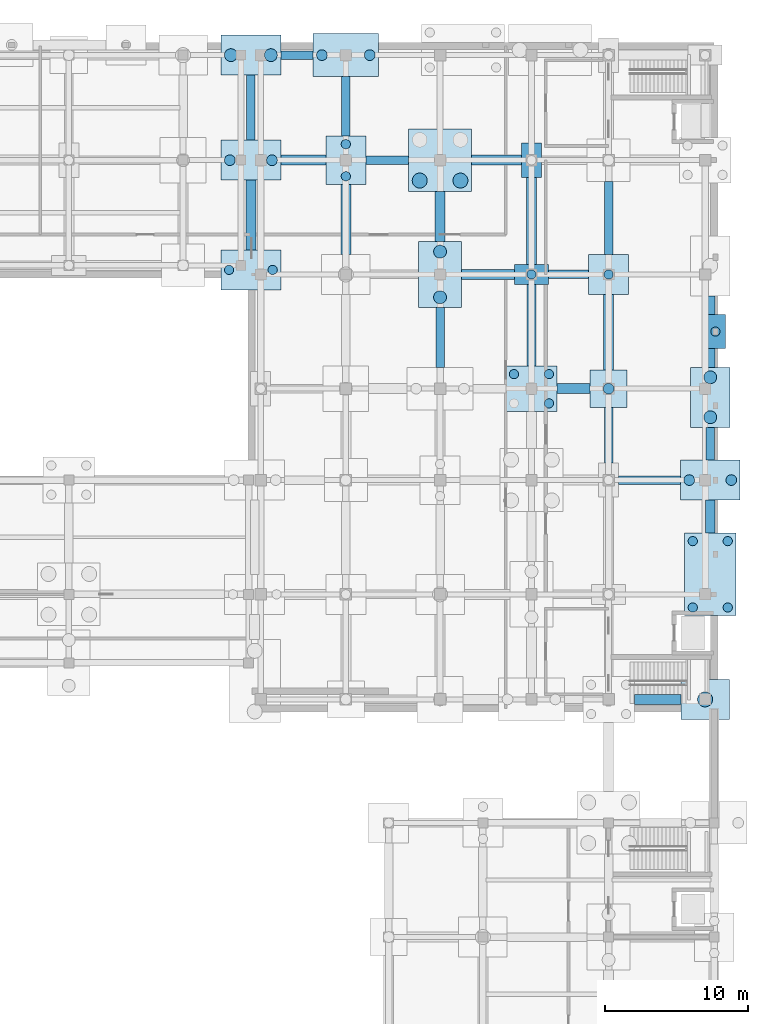
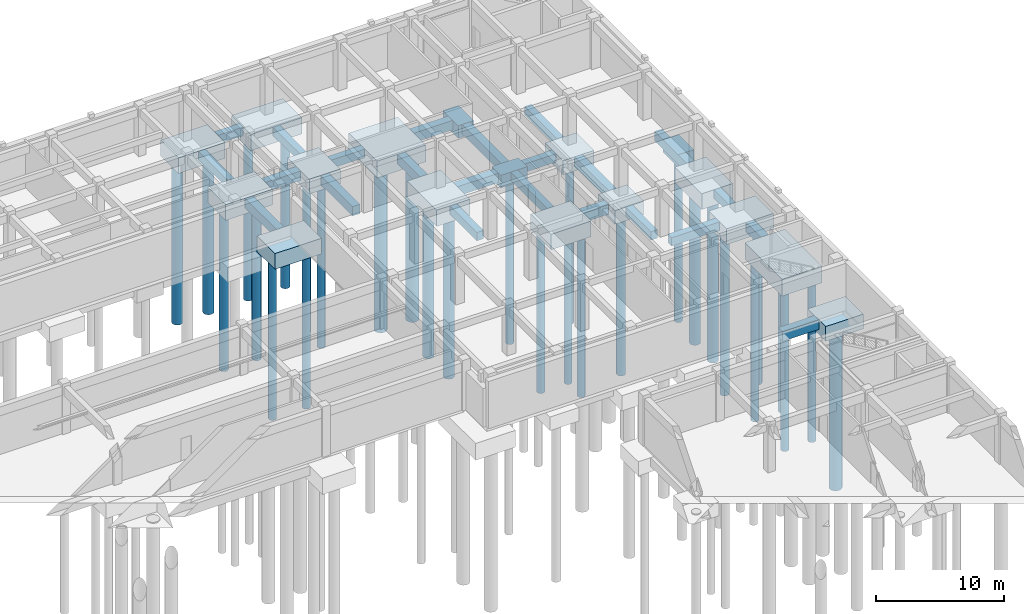
# One storey, part 11 of 35: 40 footings, 30 piles.
"""IFC4 building model written with IfcOpenShell, lengths in metres."""

from ifc_helpers import new_model, si_unit, direction, frame, origin, origin_2d, place, context, subcontext, project, spatial, polyline, rectangle, circle, outline, extrude, material, layer, layer_set, material_profile, profile_set, type_object, element, save


model = new_model("IFC4")

# Units and contexts
model_context = context("Model", 3, precision=1e-05, world=origin(), true_north=direction((0.0, 1.0)))
body_context = subcontext(model_context, "Body", "Model", "MODEL_VIEW")
ifc_project = project(units=[si_unit("LENGTHUNIT", "METRE"), si_unit("AREAUNIT", "SQUARE_METRE"), si_unit("VOLUMEUNIT", "CUBIC_METRE"), si_unit("PLANEANGLEUNIT", "RADIAN"), si_unit("MASSUNIT", "GRAM", prefix="KILO")], contexts=[model_context])

# Site, building, storey
site_placement = place(None, origin())
site = spatial("IfcSite", under=ifc_project, at=site_placement, CompositionType="ELEMENT")
building_placement = place(site_placement, origin())
building = spatial("IfcBuilding", under=site, at=building_placement, Name="Cinchona Park Media Centre", CompositionType="ELEMENT")
storey_placement = place(building_placement, frame((0.0, 0.0, -4.800048828125)))
storey = spatial("IfcBuildingStorey", under=building, at=storey_placement, Name="B1", CompositionType="ELEMENT", Elevation=-4.800048828125)

# Footings
ifc_material_1 = material(Name="Concrete C40/50", Category="concrete")
ifc_layer_1 = layer(ifc_material_1, 0.800048828125)
ifc_layer_set_1 = layer_set([ifc_layer_1], Name="Concrete C40/50")
footing_type_1 = type_object("IfcFootingType", Name="FTG-BEAM-FB01", PredefinedType="FOOTING_BEAM", material=ifc_layer_set_1)
footing_1_placement = place(storey_placement, frame((0.0, 0.0, -1.280029296875)))
element("IfcFooting", 1, at=footing_1_placement, inside=storey, type_object=footing_type_1, Name="Ground Tie Beam FB01", PredefinedType="FOOTING_BEAM", context=body_context, shape_type="SweptSolid", body=[
    extrude(outline(polyline([(165.300048828125, 87.300048828125), (169.6201171875, 87.300048828125), (169.6201171875, 87.89990234375), (165.300048828125, 87.89990234375), (165.300048828125, 87.300048828125)])), origin(), (0.0, 0.0, 1.0), 0.800048828125),
])
footing_2_placement = place(storey_placement, frame((0.0, 0.0, -1.280029296875)))
element("IfcFooting", 2, at=footing_2_placement, inside=storey, type_object=footing_type_1, Name="Ground Tie Beam FB01", PredefinedType="FOOTING_BEAM", context=body_context, shape_type="SweptSolid", body=[
    extrude(outline(polyline([(160.39990234375, 101.699951171875), (163.199951171875, 101.699951171875), (163.199951171875, 102.300048828125), (160.39990234375, 102.300048828125), (160.39990234375, 101.699951171875)])), origin(), (0.0, 0.0, 1.0), 0.800048828125),
])
footing_3_placement = place(storey_placement, frame((0.0, 0.0, -1.280029296875)))
element("IfcFooting", 3, at=footing_3_placement, inside=storey, type_object=footing_type_1, Name="Ground Tie Beam FB01", PredefinedType="FOOTING_BEAM", context=body_context, shape_type="SweptSolid", body=[
    extrude(outline(polyline([(147.60009765625, 109.699951171875), (150.60009765625, 109.699951171875), (150.60009765625, 110.300048828125), (147.60009765625, 110.300048828125), (147.60009765625, 109.699951171875)])), origin(), (0.0, 0.0, 1.0), 0.800048828125),
])
footing_4_placement = place(storey_placement, frame((0.0, 0.0, -1.300048828125)))
element("IfcFooting", 4, at=footing_4_placement, inside=storey, type_object=footing_type_1, Name="Ground Tie Beam FB01", PredefinedType="FOOTING_BEAM", context=body_context, shape_type="SweptSolid", body=[
    extrude(outline(polyline([(141.64990234375, 117.06005859375), (143.89990234375, 117.06005859375), (143.89990234375, 117.659912109375), (141.64990234375, 117.659912109375), (141.64990234375, 117.06005859375)])), origin(), (0.0, 0.0, 1.0), 0.800048828125),
])
footing_5_placement = place(storey_placement, frame((0.0, 0.0, -1.300048828125)))
element("IfcFooting", 5, at=footing_5_placement, inside=storey, type_object=footing_type_1, Name="Ground Tie Beam FB01", PredefinedType="FOOTING_BEAM", context=body_context, shape_type="SweptSolid", body=[
    extrude(outline(polyline([(139.25, 111.39990234375), (139.85009765625, 111.39990234375), (139.85009765625, 115.9599609375), (139.25, 115.9599609375), (139.25, 111.39990234375)])), origin(), (0.0, 0.0, 1.0), 0.800048828125),
])
footing_6_placement = place(storey_placement, frame((0.0, 0.0, -1.280029296875)))
element("IfcFooting", 6, at=footing_6_placement, inside=storey, type_object=footing_type_1, Name="Ground Tie Beam FB01", PredefinedType="FOOTING_BEAM", context=body_context, shape_type="SweptSolid", body=[
    extrude(outline(polyline([(145.89990234375, 111.699951171875), (146.5, 111.699951171875), (146.5, 115.860107421875), (145.89990234375, 115.860107421875), (145.89990234375, 111.699951171875)])), origin(), (0.0, 0.0, 1.0), 0.800048828125),
])
footing_7_placement = place(storey_placement, frame((0.0, 0.0, -1.280029296875)))
element("IfcFooting", 7, at=footing_7_placement, inside=storey, type_object=footing_type_1, Name="Ground Tie Beam FB01", PredefinedType="FOOTING_BEAM", context=body_context, shape_type="SweptSolid", body=[
    extrude(outline(polyline([(152.5, 95.5), (153.10009765625, 95.5), (153.10009765625, 99.699951171875), (152.5, 99.699951171875), (152.5, 95.5)])), origin(), (0.0, 0.0, 1.0), 0.800048828125),
])
footing_8_placement = place(storey_placement, frame((0.0, 0.0, -1.280029296875)))
element("IfcFooting", 8, at=footing_8_placement, inside=storey, type_object=footing_type_1, Name="Ground Tie Beam FB01", PredefinedType="FOOTING_BEAM", context=body_context, shape_type="SweptSolid", body=[
    extrude(outline(polyline([(158.89990234375, 95.60009765625), (159.5, 95.60009765625), (159.5, 101.300048828125), (158.89990234375, 101.300048828125), (158.89990234375, 95.60009765625)])), origin(), (0.0, 0.0, 1.0), 0.800048828125),
])
footing_9_placement = place(storey_placement, frame((0.0, 0.0, -1.280029296875)))
element("IfcFooting", 9, at=footing_9_placement, inside=storey, type_object=footing_type_1, Name="Ground Tie Beam FB01", PredefinedType="FOOTING_BEAM", context=body_context, shape_type="SweptSolid", body=[
    extrude(outline(polyline([(164.300048828125, 88.800048828125), (164.89990234375, 88.800048828125), (164.89990234375, 92.699951171875), (164.300048828125, 92.699951171875), (164.300048828125, 88.800048828125)])), origin(), (0.0, 0.0, 1.0), 0.800048828125),
])
footing_10_placement = place(storey_placement, frame((0.0, 0.0, -1.280029296875)))
element("IfcFooting", 10, at=footing_10_placement, inside=storey, type_object=footing_type_1, Name="Ground Tie Beam FB01", PredefinedType="FOOTING_BEAM", context=body_context, shape_type="SweptSolid", body=[
    extrude(outline(polyline([(164.300048828125, 103.39990234375), (164.89990234375, 103.39990234375), (164.89990234375, 108.5), (164.300048828125, 108.5), (164.300048828125, 103.39990234375)])), origin(), (0.0, 0.0, 1.0), 0.800048828125),
])
footing_11_placement = place(storey_placement, frame((0.0, 0.0, -1.280029296875)))
element("IfcFooting", 11, at=footing_11_placement, inside=storey, type_object=footing_type_1, Name="Ground Tie Beam FB01", PredefinedType="FOOTING_BEAM", context=body_context, shape_type="SweptSolid", body=[
    extrude(outline(polyline([(171.419921875, 89.0), (172.02001953125, 89.0), (172.02001953125, 91.300048828125), (171.419921875, 91.300048828125), (171.419921875, 89.0)])), origin(), (0.0, 0.0, 1.0), 0.800048828125),
])
ifc_material_2 = material(Name="Concrete C40/50", Category="concrete")
ifc_layer_2 = layer(ifc_material_2, 0.89990234375)
ifc_layer_set_2 = layer_set([ifc_layer_2], Name="Concrete C40/50")
footing_type_2 = type_object("IfcFootingType", Name="FTG-BEAM-FB02", PredefinedType="FOOTING_BEAM", material=ifc_layer_set_2)
footing_12_placement = place(storey_placement, frame((0.0, 0.0, -1.3798828125)))
element("IfcFooting", 12, at=footing_12_placement, inside=storey, type_object=footing_type_2, Name="Ground Tie Beam FB02", PredefinedType="FOOTING_BEAM", context=body_context, shape_type="SweptSolid", body=[
    extrude(outline(polyline([(166.39990234375, 71.889892578125), (169.659912109375, 71.889892578125), (169.659912109375, 72.590087890625), (166.39990234375, 72.590087890625), (166.39990234375, 71.889892578125)])), origin(), (0.0, 0.0, 1.0), 0.89990234375),
])
footing_13_placement = place(storey_placement, frame((0.0, 0.0, -1.3798828125)))
element("IfcFooting", 13, at=footing_13_placement, inside=storey, type_object=footing_type_2, Name="Ground Tie Beam FB02", PredefinedType="FOOTING_BEAM", context=body_context, shape_type="SweptSolid", body=[
    extrude(outline(polyline([(161.0, 93.64990234375), (163.300048828125, 93.64990234375), (163.300048828125, 94.35009765625), (161.0, 94.35009765625), (161.0, 93.64990234375)])), origin(), (0.0, 0.0, 1.0), 0.89990234375),
])
footing_14_placement = place(storey_placement, frame((0.0, 0.0, -1.3798828125)))
element("IfcFooting", 14, at=footing_14_placement, inside=storey, type_object=footing_type_2, Name="Ground Tie Beam FB02", PredefinedType="FOOTING_BEAM", context=body_context, shape_type="SweptSolid", body=[
    extrude(outline(polyline([(154.300048828125, 101.64990234375), (158.0, 101.64990234375), (158.0, 102.35009765625), (154.300048828125, 102.35009765625), (154.300048828125, 101.64990234375)])), origin(), (0.0, 0.0, 1.0), 0.89990234375),
])
footing_15_placement = place(storey_placement, frame((0.0, 0.0, -1.39990234375)))
element("IfcFooting", 15, at=footing_15_placement, inside=storey, type_object=footing_type_2, Name="Ground Tie Beam FB02", PredefinedType="FOOTING_BEAM", context=body_context, shape_type="SweptSolid", body=[
    extrude(outline(polyline([(141.64990234375, 109.64990234375), (144.800048828125, 109.64990234375), (144.800048828125, 110.35009765625), (141.64990234375, 110.35009765625), (141.64990234375, 109.64990234375)])), origin(), (0.0, 0.0, 1.0), 0.89990234375),
])
footing_16_placement = place(storey_placement, frame((0.0, 0.0, -1.3798828125)))
element("IfcFooting", 16, at=footing_16_placement, inside=storey, type_object=footing_type_2, Name="Ground Tie Beam FB02", PredefinedType="FOOTING_BEAM", context=body_context, shape_type="SweptSolid", body=[
    extrude(outline(polyline([(155.0, 109.64990234375), (158.5, 109.64990234375), (158.5, 110.35009765625), (155.0, 110.35009765625), (155.0, 109.64990234375)])), origin(), (0.0, 0.0, 1.0), 0.89990234375),
])
footing_17_placement = place(storey_placement, frame((0.0, 0.0, -1.39990234375)))
element("IfcFooting", 17, at=footing_17_placement, inside=storey, type_object=footing_type_2, Name="Ground Tie Beam FB02", PredefinedType="FOOTING_BEAM", context=body_context, shape_type="SweptSolid", body=[
    extrude(outline(polyline([(139.199951171875, 103.719970703125), (139.89990234375, 103.719970703125), (139.89990234375, 108.60009765625), (139.199951171875, 108.60009765625), (139.199951171875, 103.719970703125)])), origin(), (0.0, 0.0, 1.0), 0.89990234375),
])
footing_18_placement = place(storey_placement, frame((0.0, 0.0, -1.3798828125)))
element("IfcFooting", 18, at=footing_18_placement, inside=storey, type_object=footing_type_2, Name="Ground Tie Beam FB02", PredefinedType="FOOTING_BEAM", context=body_context, shape_type="SweptSolid", body=[
    extrude(outline(polyline([(145.85009765625, 103.39990234375), (146.550048828125, 103.39990234375), (146.550048828125, 108.300048828125), (145.85009765625, 108.300048828125), (145.85009765625, 103.39990234375)])), origin(), (0.0, 0.0, 1.0), 0.89990234375),
])
footing_19_placement = place(storey_placement, frame((0.0, 0.0, -1.3798828125)))
element("IfcFooting", 19, at=footing_19_placement, inside=storey, type_object=footing_type_2, Name="Ground Tie Beam FB02", PredefinedType="FOOTING_BEAM", context=body_context, shape_type="SweptSolid", body=[
    extrude(outline(polyline([(152.449951171875, 104.300048828125), (153.14990234375, 104.300048828125), (153.14990234375, 107.800048828125), (152.449951171875, 107.800048828125), (152.449951171875, 104.300048828125)])), origin(), (0.0, 0.0, 1.0), 0.89990234375),
])
footing_20_placement = place(storey_placement, frame((0.0, 0.0, -1.3798828125)))
element("IfcFooting", 20, at=footing_20_placement, inside=storey, type_object=footing_type_2, Name="Ground Tie Beam FB02", PredefinedType="FOOTING_BEAM", context=body_context, shape_type="SweptSolid", body=[
    extrude(outline(polyline([(158.85009765625, 102.699951171875), (159.550048828125, 102.699951171875), (159.550048828125, 108.800048828125), (158.85009765625, 108.800048828125), (158.85009765625, 102.699951171875)])), origin(), (0.0, 0.0, 1.0), 0.89990234375),
])
footing_21_placement = place(storey_placement, frame((0.0, 0.0, -1.3798828125)))
element("IfcFooting", 21, at=footing_21_placement, inside=storey, type_object=footing_type_2, Name="Ground Tie Beam FB02", PredefinedType="FOOTING_BEAM", context=body_context, shape_type="SweptSolid", body=[
    extrude(outline(polyline([(164.25, 95.300048828125), (164.949951171875, 95.300048828125), (164.949951171875, 100.60009765625), (164.25, 100.60009765625), (164.25, 95.300048828125)])), origin(), (0.0, 0.0, 1.0), 0.89990234375),
])
footing_22_placement = place(storey_placement, frame((0.0, 0.0, -1.3798828125)))
element("IfcFooting", 22, at=footing_22_placement, inside=storey, type_object=footing_type_2, Name="Ground Tie Beam FB02", PredefinedType="FOOTING_BEAM", context=body_context, shape_type="SweptSolid", body=[
    extrude(outline(polyline([(171.3701171875, 83.89990234375), (172.070068359375, 83.89990234375), (172.070068359375, 86.199951171875), (171.3701171875, 86.199951171875), (171.3701171875, 83.89990234375)])), origin(), (0.0, 0.0, 1.0), 0.89990234375),
])
footing_23_placement = place(storey_placement, frame((0.0, 0.0, -1.3798828125)))
element("IfcFooting", 23, at=footing_23_placement, inside=storey, type_object=footing_type_2, Name="Ground Tie Beam FB02", PredefinedType="FOOTING_BEAM", context=body_context, shape_type="SweptSolid", body=[
    extrude(outline(polyline([(171.3701171875, 95.5), (172.070068359375, 95.5), (172.070068359375, 100.5), (171.3701171875, 100.5), (171.3701171875, 95.5)])), origin(), (0.0, 0.0, 1.0), 0.89990234375),
])

# Piles
ifc_material_3 = material(Name="Concrete C40/50", Category="concrete")
ifc_material_profile_1 = material_profile(ifc_material_3, circle(Radius=0.52490234375, at=origin_2d()), Name="BORED PILE 1050")
ifc_profile_set_1 = profile_set([ifc_material_profile_1], Name="Concrete C40/50")
pile_type_1 = type_object("IfcPileType", Name="PILE-BP1050", PredefinedType="BORED", material=ifc_profile_set_1)
for number, where, z_axis, x_axis, name in (
    (24, (151.375, 108.574951171875, -1.97998046875), (0.0, 0.0, -1.0), (1.0, 0.0, 0.0), "Bored Pile P1050"),
    (25, (154.22509765625, 108.574951171875, -1.97998046875), (0.0, 0.0, -1.0), (1.0, 0.0, 0.0), "Bored Pile P1050"),
):
    element("IfcPile", number, at=place(storey_placement, frame(where, z_axis=z_axis, x_axis=x_axis)), inside=storey, type_object=pile_type_1, Name=name, PredefinedType="BORED", context=body_context, shape_type="SweptSolid", body=[
        extrude(circle(Radius=0.52490234375, at=origin_2d()), origin(), (0.0, 0.0, 1.0), 15.219970703125),
    ])
pile_1_placement = place(storey_placement, frame((171.360107421875, 72.239990234375, -1.780029296875), z_axis=(0.0, 0.0, -1.0), x_axis=(1.0, 0.0, 0.0)))
element("IfcPile", 26, at=pile_1_placement, inside=storey, type_object=pile_type_1, Name="Bored Pile P1050", PredefinedType="BORED", context=body_context, shape_type="SweptSolid", body=[
    extrude(circle(Radius=0.52490234375, at=origin_2d()), origin(), (0.0, 0.0, 1.0), 15.419921875),
])
ifc_material_4 = material(Name="Concrete C40/50", Category="concrete")
ifc_material_profile_2 = material_profile(ifc_material_4, circle(Radius=0.324951171875, at=origin_2d()), Name="BORED PILE 650")
ifc_profile_set_2 = profile_set([ifc_material_profile_2], Name="Concrete C40/50")
pile_type_2 = type_object("IfcPileType", Name="PILE-BP650", PredefinedType="BORED", material=ifc_profile_set_2)
for number, where, z_axis, x_axis, name in (
    (27, (138.02490234375, 102.320068359375, -1.89990234375), (0.0, 0.0, -1.0), (1.0, 0.0, 0.0), "Bored Pile P650"),
    (28, (141.074951171875, 102.320068359375, -1.89990234375), (0.0, 0.0, -1.0), (1.0, 0.0, 0.0), "Bored Pile P650"),
):
    element("IfcPile", number, at=place(storey_placement, frame(where, z_axis=z_axis, x_axis=x_axis)), inside=storey, type_object=pile_type_2, Name=name, PredefinedType="BORED", context=body_context, shape_type="SweptSolid", body=[
        extrude(circle(Radius=0.324951171875, at=origin_2d()), origin(), (0.0, 0.0, 1.0), 15.300048828125),
    ])
for number, where, z_axis, x_axis, name in (
    (29, (146.199951171875, 108.875, -1.780029296875), (0.0, 0.0, -1.0), (1.0, 0.0, 0.0), "Bored Pile P650"),
    (30, (146.199951171875, 111.125, -1.780029296875), (0.0, 0.0, -1.0), (1.0, 0.0, 0.0), "Bored Pile P650"),
):
    element("IfcPile", number, at=place(storey_placement, frame(where, z_axis=z_axis, x_axis=x_axis)), inside=storey, type_object=pile_type_2, Name=name, PredefinedType="BORED", context=body_context, shape_type="SweptSolid", body=[
        extrude(circle(Radius=0.324951171875, at=origin_2d()), origin(), (0.0, 0.0, 1.0), 15.419921875),
    ])
for number, where, z_axis, x_axis, name in (
    (31, (157.97509765625, 95.02490234375, -1.85986328125), (0.0, 0.0, -1.0), (1.0, 0.0, 0.0), "Bored Pile P650"),
    (32, (160.425048828125, 92.97509765625, -1.85986328125), (0.0, 0.0, -1.0), (1.0, 0.0, 0.0), "Bored Pile P650"),
    (33, (160.425048828125, 95.02490234375, -1.85986328125), (0.0, 0.0, -1.0), (1.0, 0.0, 0.0), "Bored Pile P650"),
):
    element("IfcPile", number, at=place(storey_placement, frame(where, z_axis=z_axis, x_axis=x_axis)), inside=storey, type_object=pile_type_2, Name=name, PredefinedType="BORED", context=body_context, shape_type="SweptSolid", body=[
        extrude(circle(Radius=0.324951171875, at=origin_2d()), origin(), (0.0, 0.0, 1.0), 15.340087890625),
    ])
pile_2_placement = place(storey_placement, frame((159.199951171875, 102.0, -1.579833984375), z_axis=(0.0, 0.0, -1.0), x_axis=(1.0, 0.0, 0.0)))
element("IfcPile", 34, at=pile_2_placement, inside=storey, type_object=pile_type_2, Name="Bored Pile P650", PredefinedType="BORED", context=body_context, shape_type="SweptSolid", body=[
    extrude(circle(Radius=0.324951171875, at=origin_2d()), origin(), (0.0, 0.0, 1.0), 15.6201171875),
])
pile_3_placement = place(storey_placement, frame((164.60009765625, 102.0, -1.72998046875), z_axis=(0.0, 0.0, -1.0), x_axis=(1.0, 0.0, 0.0)))
element("IfcPile", 35, at=pile_3_placement, inside=storey, type_object=pile_type_2, Name="Bored Pile P650", PredefinedType="BORED", context=body_context, shape_type="SweptSolid", body=[
    extrude(circle(Radius=0.324951171875, at=origin_2d()), origin(), (0.0, 0.0, 1.0), 15.469970703125),
])
for number, where, z_axis, x_axis, name in (
    (36, (170.4951171875, 78.675048828125, -1.97998046875), (0.0, 0.0, -1.0), (1.0, 0.0, 0.0), "Bored Pile P650"),
    (37, (170.4951171875, 83.324951171875, -1.97998046875), (0.0, 0.0, -1.0), (1.0, 0.0, 0.0), "Bored Pile P650"),
    (38, (172.945068359375, 78.675048828125, -1.97998046875), (0.0, 0.0, -1.0), (1.0, 0.0, 0.0), "Bored Pile P650"),
    (39, (172.945068359375, 83.324951171875, -1.97998046875), (0.0, 0.0, -1.0), (1.0, 0.0, 0.0), "Bored Pile P650"),
):
    element("IfcPile", number, at=place(storey_placement, frame(where, z_axis=z_axis, x_axis=x_axis)), inside=storey, type_object=pile_type_2, Name=name, PredefinedType="BORED", context=body_context, shape_type="SweptSolid", body=[
        extrude(circle(Radius=0.324951171875, at=origin_2d()), origin(), (0.0, 0.0, 1.0), 15.219970703125),
    ])
pile_4_placement = place(storey_placement, frame((172.080078125, 98.0, -1.579833984375), z_axis=(0.0, 0.0, -1.0), x_axis=(1.0, 0.0, 0.0)))
element("IfcPile", 40, at=pile_4_placement, inside=storey, type_object=pile_type_2, Name="Bored Pile P650", PredefinedType="BORED", context=body_context, shape_type="SweptSolid", body=[
    extrude(circle(Radius=0.324951171875, at=origin_2d()), origin(), (0.0, 0.0, 1.0), 15.6201171875),
])
ifc_material_5 = material(Name="Concrete C40/50", Category="concrete")
ifc_material_profile_3 = material_profile(ifc_material_5, circle(Radius=0.375, at=origin_2d()), Name="BORED PILE 750")
ifc_profile_set_3 = profile_set([ifc_material_profile_3], Name="Concrete C40/50")
pile_type_3 = type_object("IfcPileType", Name="PILE-BP750", PredefinedType="BORED", material=ifc_profile_set_3)
for number, where, z_axis, x_axis, name in (
    (41, (138.074951171875, 110.0, -1.89990234375), (0.0, 0.0, -1.0), (1.0, 0.0, 0.0), "Bored Pile P750"),
    (42, (141.02490234375, 110.0, -1.89990234375), (0.0, 0.0, -1.0), (1.0, 0.0, 0.0), "Bored Pile P750"),
):
    element("IfcPile", number, at=place(storey_placement, frame(where, z_axis=z_axis, x_axis=x_axis)), inside=storey, type_object=pile_type_3, Name=name, PredefinedType="BORED", context=body_context, shape_type="SweptSolid", body=[
        extrude(circle(Radius=0.375, at=origin_2d()), origin(), (0.0, 0.0, 1.0), 15.300048828125),
    ])
for number, where, z_axis, x_axis, name in (
    (43, (144.52490234375, 117.360107421875, -1.929931640625), (0.0, 0.0, -1.0), (1.0, 0.0, 0.0), "Bored Pile P750"),
    (44, (147.875, 117.360107421875, -1.929931640625), (0.0, 0.0, -1.0), (1.0, 0.0, 0.0), "Bored Pile P750"),
):
    element("IfcPile", number, at=place(storey_placement, frame(where, z_axis=z_axis, x_axis=x_axis)), inside=storey, type_object=pile_type_3, Name=name, PredefinedType="BORED", context=body_context, shape_type="SweptSolid", body=[
        extrude(circle(Radius=0.375, at=origin_2d()), origin(), (0.0, 0.0, 1.0), 15.27001953125),
    ])
pile_5_placement = place(storey_placement, frame((164.60009765625, 94.0, -1.679931640625), z_axis=(0.0, 0.0, -1.0), x_axis=(1.0, 0.0, 0.0)))
element("IfcPile", 45, at=pile_5_placement, inside=storey, type_object=pile_type_3, Name="Bored Pile P750", PredefinedType="BORED", context=body_context, shape_type="SweptSolid", body=[
    extrude(circle(Radius=0.375, at=origin_2d()), origin(), (0.0, 0.0, 1.0), 15.52001953125),
])
for number, where, z_axis, x_axis, name in (
    (46, (170.2451171875, 87.60009765625, -1.8798828125), (0.0, 0.0, -1.0), (1.0, 0.0, 0.0), "Bored Pile P750"),
    (47, (173.195068359375, 87.60009765625, -1.8798828125), (0.0, 0.0, -1.0), (1.0, 0.0, 0.0), "Bored Pile P750"),
):
    element("IfcPile", number, at=place(storey_placement, frame(where, z_axis=z_axis, x_axis=x_axis)), inside=storey, type_object=pile_type_3, Name=name, PredefinedType="BORED", context=body_context, shape_type="SweptSolid", body=[
        extrude(circle(Radius=0.375, at=origin_2d()), origin(), (0.0, 0.0, 1.0), 15.320068359375),
    ])
ifc_material_6 = material(Name="Concrete C40/50", Category="concrete")
ifc_material_profile_4 = material_profile(ifc_material_6, circle(Radius=0.449951171875, at=origin_2d()), Name="BORED PILE 900")
ifc_profile_set_4 = profile_set([ifc_material_profile_4], Name="Concrete C40/50")
pile_type_4 = type_object("IfcPileType", Name="PILE-BP900", PredefinedType="BORED", material=ifc_profile_set_4)
for number, where, z_axis, x_axis, name in (
    (48, (138.14990234375, 117.360107421875, -1.89990234375), (0.0, 0.0, -1.0), (1.0, 0.0, 0.0), "Bored Pile P900"),
    (49, (140.949951171875, 117.360107421875, -1.89990234375), (0.0, 0.0, -1.0), (1.0, 0.0, 0.0), "Bored Pile P900"),
):
    element("IfcPile", number, at=place(storey_placement, frame(where, z_axis=z_axis, x_axis=x_axis)), inside=storey, type_object=pile_type_4, Name=name, PredefinedType="BORED", context=body_context, shape_type="SweptSolid", body=[
        extrude(circle(Radius=0.449951171875, at=origin_2d()), origin(), (0.0, 0.0, 1.0), 15.300048828125),
    ])
for number, where, z_axis, x_axis, name in (
    (50, (152.800048828125, 100.39990234375, -1.929931640625), (0.0, 0.0, -1.0), (1.0, 0.0, 0.0), "Bored Pile P900"),
    (51, (152.800048828125, 103.60009765625, -1.929931640625), (0.0, 0.0, -1.0), (1.0, 0.0, 0.0), "Bored Pile P900"),
):
    element("IfcPile", number, at=place(storey_placement, frame(where, z_axis=z_axis, x_axis=x_axis)), inside=storey, type_object=pile_type_4, Name=name, PredefinedType="BORED", context=body_context, shape_type="SweptSolid", body=[
        extrude(circle(Radius=0.449951171875, at=origin_2d()), origin(), (0.0, 0.0, 1.0), 15.27001953125),
    ])
for number, where, z_axis, x_axis, name in (
    (52, (171.719970703125, 92.0, -1.8798828125), (0.0, 0.0, -1.0), (1.0, 0.0, 0.0), "Bored Pile P900"),
    (53, (171.719970703125, 94.800048828125, -1.8798828125), (0.0, 0.0, -1.0), (1.0, 0.0, 0.0), "Bored Pile P900"),
):
    element("IfcPile", number, at=place(storey_placement, frame(where, z_axis=z_axis, x_axis=x_axis)), inside=storey, type_object=pile_type_4, Name=name, PredefinedType="BORED", context=body_context, shape_type="SweptSolid", body=[
        extrude(circle(Radius=0.449951171875, at=origin_2d()), origin(), (0.0, 0.0, 1.0), 15.320068359375),
    ])

# Footings
ifc_material_7 = material(Name="Concrete C40/50", Category="concrete")
ifc_layer_3 = layer(ifc_material_7, 1.199951171875)
ifc_layer_set_3 = layer_set([ifc_layer_3], Name="Concrete C40/50")
footing_type_3 = type_object("IfcFootingType", Name="PILE-CAP-PC01", PredefinedType="PILE_CAP", material=ifc_layer_set_3)
footing_24_placement = place(storey_placement, frame((159.199951171875, 102.0, -1.6796875), z_axis=(0.0, 0.0, 1.0), x_axis=(1.0, 0.0, 0.0)))
element("IfcFooting", 54, at=footing_24_placement, inside=storey, type_object=footing_type_3, Name="Pile Cap PC01", PredefinedType="PILE_CAP", context=body_context, shape_type="SweptSolid", body=[
    extrude(rectangle(XDim=2.39990234375, YDim=1.39990234375, at=origin_2d()), origin(), (0.0, 0.0, 1.0), 1.199951171875),
])
ifc_material_8 = material(Name="Concrete C40/50", Category="concrete")
ifc_layer_4 = layer(ifc_material_8, 1.199951171875)
ifc_layer_set_4 = layer_set([ifc_layer_4], Name="Concrete C40/50")
footing_type_4 = type_object("IfcFootingType", Name="PILE-CAP-PC02", PredefinedType="PILE_CAP", material=ifc_layer_set_4)
for number, where, z_axis, x_axis, name in (
    (55, (159.199951171875, 110.0, -1.6796875), (0.0, 0.0, 1.0), (1.0, 0.0, 0.0), "Pile Cap PC02"),
    (56, (172.080078125, 98.0, -1.6796875), (0.0, 0.0, 1.0), (1.0, 0.0, 0.0), "Pile Cap PC02"),
):
    element("IfcFooting", number, at=place(storey_placement, frame(where, z_axis=z_axis, x_axis=x_axis)), inside=storey, type_object=footing_type_4, Name=name, PredefinedType="PILE_CAP", context=body_context, shape_type="SweptSolid", body=[
        extrude(rectangle(XDim=1.39990234375, YDim=2.39990234375, at=origin_2d()), origin(), (0.0, 0.0, 1.0), 1.199951171875),
    ])
ifc_material_9 = material(Name="Concrete C40/50", Category="concrete")
ifc_layer_5 = layer(ifc_material_9, 1.300048828125)
ifc_layer_set_5 = layer_set([ifc_layer_5], Name="Concrete C40/50")
footing_type_5 = type_object("IfcFootingType", Name="PILE-CAP-PC03", PredefinedType="PILE_CAP", material=ifc_layer_set_5)
footing_25_placement = place(storey_placement, frame((164.60009765625, 94.0, -1.77978515625), z_axis=(0.0, 0.0, 1.0), x_axis=(1.0, 0.0, 0.0)))
element("IfcFooting", 57, at=footing_25_placement, inside=storey, type_object=footing_type_5, Name="Pile Cap PC03", PredefinedType="PILE_CAP", context=body_context, shape_type="SweptSolid", body=[
    extrude(rectangle(XDim=2.60009765625, YDim=2.60009765625, at=origin_2d()), origin(), (0.0, 0.0, 1.0), 1.300048828125),
])
ifc_material_10 = material(Name="Concrete C40/50", Category="concrete")
ifc_layer_6 = layer(ifc_material_10, 1.35009765625)
ifc_layer_set_6 = layer_set([ifc_layer_6], Name="Concrete C40/50")
footing_type_6 = type_object("IfcFootingType", Name="PILE-CAP-PC04", PredefinedType="PILE_CAP", material=ifc_layer_set_6)
footing_26_placement = place(storey_placement, frame((164.60009765625, 102.0, -1.830078125), z_axis=(0.0, 0.0, 1.0), x_axis=(1.0, 0.0, 0.0)))
element("IfcFooting", 58, at=footing_26_placement, inside=storey, type_object=footing_type_6, Name="Pile Cap PC04", PredefinedType="PILE_CAP", context=body_context, shape_type="SweptSolid", body=[
    extrude(rectangle(XDim=2.800048828125, YDim=2.800048828125, at=origin_2d()), origin(), (0.0, 0.0, 1.0), 1.35009765625),
])
ifc_material_11 = material(Name="Concrete C40/50", Category="concrete")
ifc_layer_7 = layer(ifc_material_11, 1.39990234375)
ifc_layer_set_7 = layer_set([ifc_layer_7], Name="Concrete C40/50")
footing_type_7 = type_object("IfcFootingType", Name="PILE-CAP-PC07", PredefinedType="PILE_CAP", material=ifc_layer_set_7)
footing_27_placement = place(storey_placement, frame((171.360107421875, 72.239990234375, -1.8798828125), z_axis=(0.0, 0.0, 1.0), x_axis=(1.0, 0.0, 0.0)))
element("IfcFooting", 59, at=footing_27_placement, inside=storey, type_object=footing_type_7, Name="Pile Cap PC07", PredefinedType="PILE_CAP", context=body_context, shape_type="SweptSolid", body=[
    extrude(rectangle(XDim=3.39990234375, YDim=2.800048828125, at=origin_2d()), origin(), (0.0, 0.0, 1.0), 1.39990234375),
])
ifc_material_12 = material(Name="Concrete C40/50", Category="concrete")
ifc_layer_8 = layer(ifc_material_12, 1.39990234375)
ifc_layer_set_8 = layer_set([ifc_layer_8], Name="Concrete C40/50")
footing_type_8 = type_object("IfcFootingType", Name="PILE-CAP-PC08", PredefinedType="PILE_CAP", material=ifc_layer_set_8)
footing_28_placement = place(storey_placement, frame((146.199951171875, 110.0, -1.8798828125), z_axis=(0.0, 0.0, 1.0), x_axis=(1.0, 0.0, 0.0)))
element("IfcFooting", 60, at=footing_28_placement, inside=storey, type_object=footing_type_8, Name="Pile Cap PC08", PredefinedType="PILE_CAP", context=body_context, shape_type="SweptSolid", body=[
    extrude(rectangle(XDim=2.800048828125, YDim=3.39990234375, at=origin_2d()), origin(), (0.0, 0.0, 1.0), 1.39990234375),
])
ifc_material_13 = material(Name="Concrete C40/50", Category="concrete")
ifc_layer_9 = layer(ifc_material_13, 1.5)
ifc_layer_set_9 = layer_set([ifc_layer_9], Name="Concrete C40/50")
footing_type_9 = type_object("IfcFootingType", Name="PILE-CAP-PC09", PredefinedType="PILE_CAP", material=ifc_layer_set_9)
for number, where, z_axis, x_axis, name in (
    (61, (139.550048828125, 102.320068359375, -2.0), (0.0, 0.0, 1.0), (1.0, 0.0, 0.0), "Pile Cap PC09"),
    (62, (139.550048828125, 110.0, -2.0), (0.0, 0.0, 1.0), (1.0, 0.0, 0.0), "Pile Cap PC09"),
    (63, (139.550048828125, 117.360107421875, -2.0), (0.0, 0.0, 1.0), (1.0, 0.0, 0.0), "Pile Cap PC09"),
    (64, (171.719970703125, 87.60009765625, -1.97998046875), (0.0, 0.0, 1.0), (1.0, 0.0, 0.0), "Pile Cap PC09"),
):
    element("IfcFooting", number, at=place(storey_placement, frame(where, z_axis=z_axis, x_axis=x_axis)), inside=storey, type_object=footing_type_9, Name=name, PredefinedType="PILE_CAP", context=body_context, shape_type="SweptSolid", body=[
        extrude(rectangle(XDim=4.199951171875, YDim=2.800048828125, at=origin_2d()), origin(), (0.0, 0.0, 1.0), 1.5),
    ])
ifc_material_14 = material(Name="Concrete C40/50", Category="concrete")
ifc_layer_10 = layer(ifc_material_14, 1.5)
ifc_layer_set_10 = layer_set([ifc_layer_10], Name="Concrete C40/50")
footing_type_10 = type_object("IfcFootingType", Name="PILE-CAP-PC10", PredefinedType="PILE_CAP", material=ifc_layer_set_10)
footing_29_placement = place(storey_placement, frame((171.719970703125, 93.39990234375, -1.97998046875), z_axis=(0.0, 0.0, 1.0), x_axis=(1.0, 0.0, 0.0)))
element("IfcFooting", 65, at=footing_29_placement, inside=storey, type_object=footing_type_10, Name="Pile Cap PC10", PredefinedType="PILE_CAP", context=body_context, shape_type="SweptSolid", body=[
    extrude(rectangle(XDim=2.800048828125, YDim=4.199951171875, at=origin_2d()), origin(), (0.0, 0.0, 1.0), 1.5),
])
ifc_material_15 = material(Name="Concrete C40/50", Category="concrete")
ifc_layer_11 = layer(ifc_material_15, 1.550048828125)
ifc_layer_set_11 = layer_set([ifc_layer_11], Name="Concrete C40/50")
footing_type_11 = type_object("IfcFootingType", Name="PILE-CAP-PC11", PredefinedType="PILE_CAP", material=ifc_layer_set_11)
footing_30_placement = place(storey_placement, frame((146.199951171875, 117.360107421875, -2.02978515625), z_axis=(0.0, 0.0, 1.0), x_axis=(1.0, 0.0, 0.0)))
element("IfcFooting", 66, at=footing_30_placement, inside=storey, type_object=footing_type_11, Name="Pile Cap PC11", PredefinedType="PILE_CAP", context=body_context, shape_type="SweptSolid", body=[
    extrude(rectangle(XDim=4.60009765625, YDim=3.0, at=origin_2d()), origin(), (0.0, 0.0, 1.0), 1.550048828125),
])
ifc_material_16 = material(Name="Concrete C40/50", Category="concrete")
ifc_layer_12 = layer(ifc_material_16, 1.550048828125)
ifc_layer_set_12 = layer_set([ifc_layer_12], Name="Concrete C40/50")
footing_type_12 = type_object("IfcFootingType", Name="PILE-CAP-PC12", PredefinedType="PILE_CAP", material=ifc_layer_set_12)
footing_31_placement = place(storey_placement, frame((152.800048828125, 102.0, -2.02978515625), z_axis=(0.0, 0.0, 1.0), x_axis=(1.0, 0.0, 0.0)))
element("IfcFooting", 67, at=footing_31_placement, inside=storey, type_object=footing_type_12, Name="Pile Cap PC12", PredefinedType="PILE_CAP", context=body_context, shape_type="SweptSolid", body=[
    extrude(rectangle(XDim=3.0, YDim=4.60009765625, at=origin_2d()), origin(), (0.0, 0.0, 1.0), 1.550048828125),
])
ifc_material_17 = material(Name="Concrete C40/50", Category="concrete")
ifc_layer_13 = layer(ifc_material_17, 1.60009765625)
ifc_layer_set_13 = layer_set([ifc_layer_13], Name="Concrete C40/50")
footing_type_13 = type_object("IfcFootingType", Name="PILE-CAP-PC13", PredefinedType="PILE_CAP", material=ifc_layer_set_13)
footing_32_placement = place(storey_placement, frame((152.800048828125, 110.0, -2.080078125), z_axis=(0.0, 0.0, 1.0), x_axis=(1.0, 0.0, 0.0)))
element("IfcFooting", 68, at=footing_32_placement, inside=storey, type_object=footing_type_13, Name="Pile Cap PC13", PredefinedType="PILE_CAP", context=body_context, shape_type="SweptSolid", body=[
    extrude(rectangle(XDim=4.39990234375, YDim=4.39990234375, at=origin_2d()), origin(), (0.0, 0.0, 1.0), 1.60009765625),
])
ifc_material_18 = material(Name="Concrete C40/50", Category="concrete")
ifc_layer_14 = layer(ifc_material_18, 1.47998046875)
ifc_layer_set_14 = layer_set([ifc_layer_14], Name="Concrete C40/50")
footing_type_14 = type_object("IfcFootingType", Name="PILE-CAP-PC15", PredefinedType="PILE_CAP", material=ifc_layer_set_14)
footing_33_placement = place(storey_placement, frame((159.199951171875, 94.0, -1.9599609375), z_axis=(0.0, 0.0, 1.0), x_axis=(1.0, 0.0, 0.0)))
element("IfcFooting", 69, at=footing_33_placement, inside=storey, type_object=footing_type_14, Name="Pile Cap PC15", PredefinedType="PILE_CAP", context=body_context, shape_type="SweptSolid", body=[
    extrude(rectangle(XDim=3.60009765625, YDim=3.199951171875, at=origin_2d()), origin(), (0.0, 0.0, 1.0), 1.47998046875),
])
ifc_material_19 = material(Name="Concrete C40/50", Category="concrete")
ifc_layer_15 = layer(ifc_material_19, 1.60009765625)
ifc_layer_set_15 = layer_set([ifc_layer_15], Name="Concrete C40/50")
footing_type_15 = type_object("IfcFootingType", Name="PILE-CAP-PC16", PredefinedType="PILE_CAP", material=ifc_layer_set_15)
footing_34_placement = place(storey_placement, frame((171.719970703125, 81.0, -2.080078125), z_axis=(0.0, 0.0, 1.0), x_axis=(1.0, 0.0, 0.0)))
element("IfcFooting", 70, at=footing_34_placement, inside=storey, type_object=footing_type_15, Name="Pile Cap PC16", PredefinedType="PILE_CAP", context=body_context, shape_type="SweptSolid", body=[
    extrude(rectangle(XDim=3.60009765625, YDim=5.800048828125, at=origin_2d()), origin(), (0.0, 0.0, 1.0), 1.60009765625),
])

save(model, "model.ifc")
